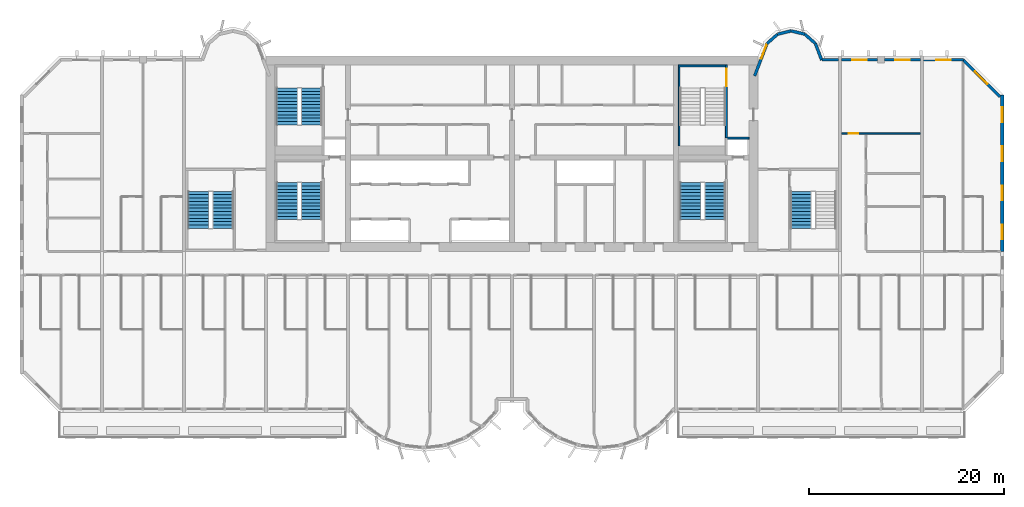
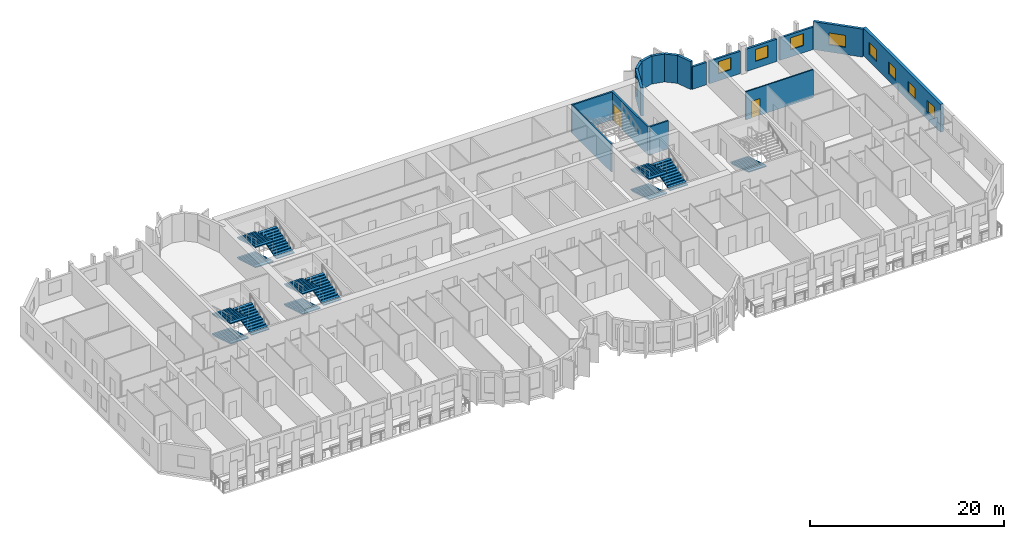
# One storey, part 11 of 15: 17 walls, 13 stair flights, 9 windows, 2 doors, 11 openings, 5 elements without a shape of their own.
"""IFC4 building model written with IfcOpenShell, lengths in metres."""

from ifc_helpers import new_model, si_unit, direction, frame, frame_2d, origin, place, context, subcontext, project, spatial, polyline, rectangle, outline, extrude, source, transform, mapped, material, layer, layer_set, type_object, element, fill, aggregate, save


model = new_model("IFC4")

# Units and contexts
model_context = context("Model", 3, precision=1e-05, world=origin(), true_north=direction((0.0, 1.0)))
body_context = subcontext(model_context, "Body", "Model", "MODEL_VIEW")
ifc_project = project(units=[si_unit("LENGTHUNIT", "METRE"), si_unit("AREAUNIT", "SQUARE_METRE"), si_unit("VOLUMEUNIT", "CUBIC_METRE"), si_unit("PLANEANGLEUNIT", "RADIAN"), si_unit("MASSUNIT", "GRAM", prefix="KILO")], contexts=[model_context])

# Site, building, storey
site_placement = place(None, origin())
site = spatial("IfcSite", under=ifc_project, at=site_placement, CompositionType="ELEMENT")
building_placement = place(site_placement, origin())
building = spatial("IfcBuilding", under=site, at=building_placement, Name="Vanashikhar Sky Hotel", CompositionType="ELEMENT")
storey_placement = place(building_placement, frame((0.0, 0.0, 110.39990234375)))
storey = spatial("IfcBuildingStorey", under=building, at=storey_placement, Name="L26", CompositionType="ELEMENT", Elevation=110.39990234375)

# Wall, openings, windows
ifc_material_1 = material(Name="Concrete M70", Category="concrete")
ifc_layer_1 = layer(ifc_material_1, 0.35009765625)
ifc_layer_set_1 = layer_set([ifc_layer_1], Name="RC shear wall 350 Concrete M70")
wall_type_1 = type_object("IfcWallType", Name="RC shear wall 350 Concrete M70", PredefinedType="SHEAR", material=ifc_layer_set_1)
shared_shape_1 = source(origin(), body_context, "Body", "SweptSolid", [
    extrude(rectangle(XDim=16.0, YDim=0.35009765625, at=frame_2d((8.0, 0.0))), origin(), (0.0, 0.0, 1.0), 3.52001953125),
])
wall_1_placement = place(storey_placement, frame((100.625, 22.0, 0.0), z_axis=(0.0, 0.0, 1.0), x_axis=(0.0, 1.0, 0.0)))
wall_1 = element("IfcWall", 1, at=wall_1_placement, inside=storey, type_object=wall_type_1, Name="CW-L26-XW13-2", PredefinedType="SHEAR", context=body_context, shape_type="MappedRepresentation", body=[
    mapped(shared_shape_1, transform((0.0, 0.0, 0.0), scale=1.0)),
])
shared_shape_2 = source(origin(), body_context, "Body", "SweptSolid", [
    extrude(rectangle(XDim=1.5, YDim=1.5, at=frame_2d((0.75, 0.75))), frame((0.0, 0.18505859375, 0.0), z_axis=(0.0, -1.0, 0.0), x_axis=(1.0, 0.0, 0.0)), (0.0, 0.0, 1.0), 0.3701171875),
])
opening_1_placement = place(wall_1_placement, frame((1.25, 0.0, 0.89990234375)))
opening_1 = element("IfcOpeningElement", 2, at=opening_1_placement, cuts=wall_1, Name="Opening WN-1", PredefinedType="OPENING", context=body_context, shape_type="MappedRepresentation", body=[
    mapped(shared_shape_2, transform((0.0, 0.0, 0.0), scale=1.0)),
])
opening_2_placement = place(wall_1_placement, frame((5.25, 0.0, 0.89990234375)))
opening_2 = element("IfcOpeningElement", 3, at=opening_2_placement, cuts=wall_1, Name="Opening WN-1", PredefinedType="OPENING", context=body_context, shape_type="MappedRepresentation", body=[
    mapped(shared_shape_2, transform((0.0, 0.0, 0.0), scale=1.0)),
])
opening_3_placement = place(wall_1_placement, frame((9.25, 0.0, 0.89990234375)))
opening_3 = element("IfcOpeningElement", 4, at=opening_3_placement, cuts=wall_1, Name="Opening WN-1", PredefinedType="OPENING", context=body_context, shape_type="MappedRepresentation", body=[
    mapped(shared_shape_2, transform((0.0, 0.0, 0.0), scale=1.0)),
])
opening_4_placement = place(wall_1_placement, frame((13.25, 0.0, 0.89990234375)))
opening_4 = element("IfcOpeningElement", 5, at=opening_4_placement, cuts=wall_1, Name="Opening WN-1", PredefinedType="OPENING", context=body_context, shape_type="MappedRepresentation", body=[
    mapped(shared_shape_2, transform((0.0, 0.0, 0.0), scale=1.0)),
])
ifc_material_2 = material(Name="Glass", Category="glass")
window_type_1 = type_object("IfcWindowType", Name="Window 1500 x 1500", PartitioningType="SINGLE_PANEL", PredefinedType="WINDOW", material=ifc_material_2)
shared_shape_3 = source(origin(), body_context, "Body", "SweptSolid", [
    extrude(rectangle(XDim=1.5, YDim=1.5, at=frame_2d((0.75, 0.75))), frame((0.0, 0.030029296875, 0.0), z_axis=(0.0, -1.0, 0.0), x_axis=(1.0, 0.0, 0.0)), (0.0, 0.0, 1.0), 0.06005859375),
])
window_1_placement = place(opening_1_placement, origin())
window_1 = element("IfcWindow", 6, at=window_1_placement, inside=storey, type_object=window_type_1, Name="Window WN-1", OverallHeight=1.5, OverallWidth=1.5, PartitioningType="SINGLE_PANEL", PredefinedType="WINDOW", context=body_context, shape_type="MappedRepresentation", body=[
    mapped(shared_shape_3, transform((0.0, 0.0, 0.0), scale=1.0)),
])
fill(opening_1, window_1)
window_2_placement = place(opening_2_placement, origin())
window_2 = element("IfcWindow", 7, at=window_2_placement, inside=storey, type_object=window_type_1, Name="Window WN-1", OverallHeight=1.5, OverallWidth=1.5, PartitioningType="SINGLE_PANEL", PredefinedType="WINDOW", context=body_context, shape_type="MappedRepresentation", body=[
    mapped(shared_shape_3, transform((0.0, 0.0, 0.0), scale=1.0)),
])
fill(opening_2, window_2)
window_3_placement = place(opening_3_placement, origin())
window_3 = element("IfcWindow", 8, at=window_3_placement, inside=storey, type_object=window_type_1, Name="Window WN-1", OverallHeight=1.5, OverallWidth=1.5, PartitioningType="SINGLE_PANEL", PredefinedType="WINDOW", context=body_context, shape_type="MappedRepresentation", body=[
    mapped(shared_shape_3, transform((0.0, 0.0, 0.0), scale=1.0)),
])
fill(opening_3, window_3)
window_4_placement = place(opening_4_placement, origin())
window_4 = element("IfcWindow", 9, at=window_4_placement, inside=storey, type_object=window_type_1, Name="Window WN-1", OverallHeight=1.5, OverallWidth=1.5, PartitioningType="SINGLE_PANEL", PredefinedType="WINDOW", context=body_context, shape_type="MappedRepresentation", body=[
    mapped(shared_shape_3, transform((0.0, 0.0, 0.0), scale=1.0)),
])
fill(opening_4, window_4)

# Wall, opening, window
ifc_material_3 = material(Name="Concrete M50", Category="concrete")
ifc_layer_2 = layer(ifc_material_3, 0.300048828125)
ifc_layer_set_2 = layer_set([ifc_layer_2], Name="Lobe wall 300")
wall_type_2 = type_object("IfcWallType", Name="Lobe wall 300", PredefinedType="SOLIDWALL", material=ifc_layer_set_2)
shared_shape_4 = source(origin(), body_context, "Body", "SweptSolid", [
    extrude(rectangle(XDim=5.32568359375, YDim=0.300048828125, at=frame_2d((2.662841796875, 0.0))), origin(), (0.0, 0.0, 1.0), 3.52001953125),
])
wall_2_placement = place(storey_placement, frame((100.39990234375, 37.834228515625, 0.0), z_axis=(0.0, 0.0, 1.0), x_axis=(-0.707083859269, 0.707129702361, 0.0)))
wall_2 = element("IfcWall", 10, at=wall_2_placement, inside=storey, type_object=wall_type_2, Name="Corner wall", PredefinedType="SOLIDWALL", context=body_context, shape_type="MappedRepresentation", body=[
    mapped(shared_shape_4, transform((0.0, 0.0, 0.0), scale=1.0)),
])
shared_shape_5 = source(origin(), body_context, "Body", "SweptSolid", [
    extrude(rectangle(XDim=1.800048828125, YDim=1.5, at=frame_2d((0.89990234375, 0.75))), frame((0.0, 0.16015625, 0.0), z_axis=(0.0, -1.0, 0.0), x_axis=(1.0, 0.0, 0.0)), (0.0, 0.0, 1.0), 0.320068359375),
])
opening_5_placement = place(wall_2_placement, frame((1.853759765625, 0.0, 0.89990234375)))
opening_5 = element("IfcOpeningElement", 11, at=opening_5_placement, cuts=wall_2, Name="Opening WN-4", PredefinedType="OPENING", context=body_context, shape_type="MappedRepresentation", body=[
    mapped(shared_shape_5, transform((0.0, 0.0, 0.0), scale=1.0)),
])
window_type_2 = type_object("IfcWindowType", Name="Corner window 1800 x 1500", PartitioningType="SINGLE_PANEL", PredefinedType="WINDOW", material=ifc_material_2)
shared_shape_6 = source(origin(), body_context, "Body", "SweptSolid", [
    extrude(rectangle(XDim=1.800048828125, YDim=1.5, at=frame_2d((0.89990234375, 0.75))), frame((0.0, 0.030029296875, 0.0), z_axis=(0.0, -1.0, 0.0), x_axis=(1.0, 0.0, 0.0)), (0.0, 0.0, 1.0), 0.06005859375),
])
window_5_placement = place(opening_5_placement, origin())
window_5 = element("IfcWindow", 12, at=window_5_placement, inside=storey, type_object=window_type_2, Name="Window WN-4", OverallHeight=1.5, OverallWidth=1.800048828125, PartitioningType="SINGLE_PANEL", PredefinedType="WINDOW", context=body_context, shape_type="MappedRepresentation", body=[
    mapped(shared_shape_6, transform((0.0, 0.0, 0.0), scale=1.0)),
])
fill(opening_5, window_5)

shared_shape_7 = source(origin(), body_context, "Body", "SweptSolid", [
    extrude(rectangle(XDim=3.55908203125, YDim=0.300048828125, at=frame_2d((1.779541015625, 0.0))), origin(), (0.0, 0.0, 1.0), 3.52001953125),
])
wall_3_placement = place(storey_placement, frame((76.5234375, 43.2919921875, 0.0), z_axis=(0.0, 0.0, 1.0), x_axis=(-0.35779745313, -0.933799219604, 0.0)))
wall_3 = element("IfcWall", 13, at=wall_3_placement, inside=storey, type_object=wall_type_2, Name="Lobe wall", PredefinedType="SOLIDWALL", context=body_context, shape_type="MappedRepresentation", body=[
    mapped(shared_shape_7, transform((0.0, 0.0, 0.0), scale=1.0)),
])
shared_shape_8 = source(origin(), body_context, "Body", "SweptSolid", [
    extrude(rectangle(XDim=1.5, YDim=2.0, at=frame_2d((0.75, 1.0))), frame((0.0, 0.16015625, 0.0), z_axis=(0.0, -1.0, 0.0), x_axis=(1.0, 0.0, 0.0)), (0.0, 0.0, 1.0), 0.320068359375),
])
opening_6_placement = place(wall_3_placement, frame((0.156005859375, 0.0, 0.89990234375)))
opening_6 = element("IfcOpeningElement", 14, at=opening_6_placement, cuts=wall_3, Name="Opening WN-2", PredefinedType="OPENING", context=body_context, shape_type="MappedRepresentation", body=[
    mapped(shared_shape_8, transform((0.0, 0.0, 0.0), scale=1.0)),
])
window_type_3 = type_object("IfcWindowType", Name="Lobe window 1500 x 2000", PartitioningType="SINGLE_PANEL", PredefinedType="WINDOW", material=ifc_material_2)
shared_shape_9 = source(origin(), body_context, "Body", "SweptSolid", [
    extrude(rectangle(XDim=1.5, YDim=2.0, at=frame_2d((0.75, 1.0))), frame((0.0, 0.030029296875, 0.0), z_axis=(0.0, -1.0, 0.0), x_axis=(1.0, 0.0, 0.0)), (0.0, 0.0, 1.0), 0.06005859375),
])
window_6_placement = place(opening_6_placement, origin())
window_6 = element("IfcWindow", 15, at=window_6_placement, inside=storey, type_object=window_type_3, Name="Window WN-2", OverallHeight=2.0, OverallWidth=1.5, PartitioningType="SINGLE_PANEL", PredefinedType="WINDOW", context=body_context, shape_type="MappedRepresentation", body=[
    mapped(shared_shape_9, transform((0.0, 0.0, 0.0), scale=1.0)),
])
fill(opening_6, window_6)

# Walls
shared_shape_10 = source(origin(), body_context, "Body", "SweptSolid", [
    extrude(rectangle(XDim=1.438720703125, YDim=0.300048828125, at=frame_2d((0.71923828125, 0.0))), origin(), (0.0, 0.0, 1.0), 3.52001953125),
])
for number, where, z_axis, x_axis, name in (
    (16, (80.397216796875, 44.2451171875, 0.0), (0.0, 0.0, 1.0), (-0.971161932466, 0.238420848351, 0.0), "Lobe wall"),
    (17, (79.0, 44.588134765625, 0.0), (0.0, 0.0, 1.0), (-0.971161932466, -0.238420848351, 0.0), "Lobe wall"),
):
    element("IfcWall", number, at=place(storey_placement, frame(where, z_axis=z_axis, x_axis=x_axis)), inside=storey, type_object=wall_type_2, Name=name, PredefinedType="SOLIDWALL", context=body_context, shape_type="MappedRepresentation", body=[
        mapped(shared_shape_10, transform((0.0, 0.0, 0.0), scale=1.0)),
    ])
shared_shape_11 = source(origin(), body_context, "Body", "SweptSolid", [
    extrude(rectangle(XDim=1.43994140625, YDim=0.300048828125, at=frame_2d((0.719970703125, 0.0))), origin(), (0.0, 0.0, 1.0), 3.52001953125),
])
for number, where, z_axis, x_axis, name in (
    (18, (81.4765625, 43.2919921875, 0.0), (0.0, 0.0, 1.0), (-0.74957555648, 0.661918790432, 0.0), "Lobe wall"),
    (19, (77.602783203125, 44.2451171875, 0.0), (0.0, 0.0, 1.0), (-0.74957555648, -0.661918790432, 0.0), "Lobe wall"),
):
    element("IfcWall", number, at=place(storey_placement, frame(where, z_axis=z_axis, x_axis=x_axis)), inside=storey, type_object=wall_type_2, Name=name, PredefinedType="SOLIDWALL", context=body_context, shape_type="MappedRepresentation", body=[
        mapped(shared_shape_11, transform((0.0, 0.0, 0.0), scale=1.0)),
    ])
shared_shape_12 = source(origin(), body_context, "Body", "SweptSolid", [
    extrude(rectangle(XDim=1.81201171875, YDim=0.300048828125, at=frame_2d((0.906005859375, 0.0))), origin(), (0.0, 0.0, 1.0), 3.52001953125),
])
wall_4_placement = place(storey_placement, frame((82.125, 41.60009765625, 0.0), z_axis=(0.0, 0.0, 1.0), x_axis=(-0.357877270961, 0.93376863244, 0.0)))
element("IfcWall", 20, at=wall_4_placement, inside=storey, type_object=wall_type_2, Name="Lobe wall", PredefinedType="SOLIDWALL", context=body_context, shape_type="MappedRepresentation", body=[
    mapped(shared_shape_12, transform((0.0, 0.0, 0.0), scale=1.0)),
])

# Wall, opening, window
ifc_layer_3 = layer(ifc_material_3, 0.25)
ifc_layer_set_3 = layer_set([ifc_layer_3], Name="Rear and end board-marked wall 250")
wall_type_3 = type_object("IfcWallType", Name="Rear and end board-marked wall 250", PredefinedType="SOLIDWALL", material=ifc_layer_set_3)
shared_shape_13 = source(origin(), body_context, "Body", "SweptSolid", [
    extrude(rectangle(XDim=4.06982421875, YDim=0.25, at=frame_2d((2.034912109375, 0.0))), origin(), (0.0, 0.0, 1.0), 2.820068359375),
])
wall_5_placement = place(storey_placement, frame((96.644775390625, 41.625, 0.0), z_axis=(0.0, 0.0, 1.0), x_axis=(-1.0, 0.0, 0.0)))
wall_5 = element("IfcWall", 21, at=wall_5_placement, inside=storey, type_object=wall_type_3, Name="Rear board-marked wall", PredefinedType="SOLIDWALL", context=body_context, shape_type="MappedRepresentation", body=[
    mapped(shared_shape_13, transform((0.0, 0.0, 0.0), scale=1.0)),
])
shared_shape_14 = source(origin(), body_context, "Body", "SweptSolid", [
    extrude(rectangle(XDim=1.5, YDim=1.5, at=frame_2d((0.75, 0.75))), frame((0.0, 0.135009765625, 0.0), z_axis=(0.0, -1.0, 0.0), x_axis=(1.0, 0.0, 0.0)), (0.0, 0.0, 1.0), 0.27001953125),
])
opening_7_placement = place(wall_5_placement, frame((1.284912109375, 0.0, 0.89990234375)))
opening_7 = element("IfcOpeningElement", 22, at=opening_7_placement, cuts=wall_5, Name="Opening WN-1", PredefinedType="OPENING", context=body_context, shape_type="MappedRepresentation", body=[
    mapped(shared_shape_14, transform((0.0, 0.0, 0.0), scale=1.0)),
])
window_7_placement = place(opening_7_placement, origin())
window_7 = element("IfcWindow", 23, at=window_7_placement, inside=storey, type_object=window_type_1, Name="Window WN-1", OverallHeight=1.5, OverallWidth=1.5, PartitioningType="SINGLE_PANEL", PredefinedType="WINDOW", context=body_context, shape_type="MappedRepresentation", body=[
    mapped(shared_shape_3, transform((0.0, 0.0, 0.0), scale=1.0)),
])
fill(opening_7, window_7)

shared_shape_15 = source(origin(), body_context, "Body", "SweptSolid", [
    extrude(rectangle(XDim=3.675048828125, YDim=0.25, at=frame_2d((1.83740234375, 0.0))), origin(), (0.0, 0.0, 1.0), 2.820068359375),
])
wall_6_placement = place(storey_placement, frame((87.85009765625, 41.625, 0.0), z_axis=(0.0, 0.0, 1.0), x_axis=(-1.0, 0.0, 0.0)))
wall_6 = element("IfcWall", 24, at=wall_6_placement, inside=storey, type_object=wall_type_3, Name="Rear board-marked wall", PredefinedType="SOLIDWALL", context=body_context, shape_type="MappedRepresentation", body=[
    mapped(shared_shape_15, transform((0.0, 0.0, 0.0), scale=1.0)),
])
opening_8_placement = place(wall_6_placement, frame((1.08740234375, 0.0, 0.89990234375)))
opening_8 = element("IfcOpeningElement", 25, at=opening_8_placement, cuts=wall_6, Name="Opening WN-1", PredefinedType="OPENING", context=body_context, shape_type="MappedRepresentation", body=[
    mapped(shared_shape_14, transform((0.0, 0.0, 0.0), scale=1.0)),
])
window_8_placement = place(opening_8_placement, origin())
window_8 = element("IfcWindow", 26, at=window_8_placement, inside=storey, type_object=window_type_1, Name="Window WN-1", OverallHeight=1.5, OverallWidth=1.5, PartitioningType="SINGLE_PANEL", PredefinedType="WINDOW", context=body_context, shape_type="MappedRepresentation", body=[
    mapped(shared_shape_3, transform((0.0, 0.0, 0.0), scale=1.0)),
])
fill(opening_8, window_8)

wall_7_placement = place(storey_placement, frame((92.22509765625, 41.625, 0.0), z_axis=(0.0, 0.0, 1.0), x_axis=(-1.0, 0.0, 0.0)))
wall_7 = element("IfcWall", 27, at=wall_7_placement, inside=storey, type_object=wall_type_3, Name="Rear board-marked wall", PredefinedType="SOLIDWALL", context=body_context, shape_type="MappedRepresentation", body=[
    mapped(shared_shape_15, transform((0.0, 0.0, 0.0), scale=1.0)),
])
opening_9_placement = place(wall_7_placement, frame((1.08740234375, 0.0, 0.89990234375)))
opening_9 = element("IfcOpeningElement", 28, at=opening_9_placement, cuts=wall_7, Name="Opening WN-1", PredefinedType="OPENING", context=body_context, shape_type="MappedRepresentation", body=[
    mapped(shared_shape_14, transform((0.0, 0.0, 0.0), scale=1.0)),
])
window_9_placement = place(opening_9_placement, origin())
window_9 = element("IfcWindow", 29, at=window_9_placement, inside=storey, type_object=window_type_1, Name="Window WN-1", OverallHeight=1.5, OverallWidth=1.5, PartitioningType="SINGLE_PANEL", PredefinedType="WINDOW", context=body_context, shape_type="MappedRepresentation", body=[
    mapped(shared_shape_3, transform((0.0, 0.0, 0.0), scale=1.0)),
])
fill(opening_9, window_9)

# Wall
shared_shape_16 = source(origin(), body_context, "Body", "SweptSolid", [
    extrude(rectangle(XDim=1.682861328125, YDim=0.25, at=frame_2d((0.84130859375, 0.0))), origin(), (0.0, 0.0, 1.0), 2.820068359375),
])
wall_8_placement = place(storey_placement, frame((83.824951171875, 41.625, 0.0), z_axis=(0.0, 0.0, 1.0), x_axis=(-1.0, 0.0, 0.0)))
element("IfcWall", 30, at=wall_8_placement, inside=storey, type_object=wall_type_3, Name="Rear board-marked wall", PredefinedType="SOLIDWALL", context=body_context, shape_type="MappedRepresentation", body=[
    mapped(shared_shape_16, transform((0.0, 0.0, 0.0), scale=1.0)),
])

# Wall, opening, door
ifc_layer_4 = layer(ifc_material_3, 0.199951171875)
ifc_layer_set_4 = layer_set([ifc_layer_4], Name="Stair wall 200")
wall_type_4 = type_object("IfcWallType", Name="Stair wall 200", PredefinedType="SOLIDWALL", material=ifc_layer_set_4)
shared_shape_17 = source(origin(), body_context, "Body", "SweptSolid", [
    extrude(rectangle(XDim=7.5, YDim=0.199951171875, at=frame_2d((3.75, 0.0))), origin(), (0.0, 0.0, 1.0), 3.52001953125),
])
wall_9_placement = place(storey_placement, frame((72.35009765625, 33.60009765625, 0.0), z_axis=(0.0, 0.0, 1.0), x_axis=(0.0, 1.0, 0.0)))
wall_9 = element("IfcWall", 31, at=wall_9_placement, inside=storey, type_object=wall_type_4, Name="Stair wall 200", PredefinedType="SOLIDWALL", context=body_context, shape_type="MappedRepresentation", body=[
    mapped(shared_shape_17, transform((0.0, 0.0, 0.0), scale=1.0)),
])
shared_shape_18 = source(origin(), body_context, "Body", "SweptSolid", [
    extrude(rectangle(XDim=1.800048828125, YDim=2.10009765625, at=frame_2d((0.89990234375, 1.050048828125))), frame((0.0, 0.10986328125, 0.0), z_axis=(0.0, -1.0, 0.0), x_axis=(1.0, 0.0, 0.0)), (0.0, 0.0, 1.0), 0.219970703125),
])
opening_10_placement = place(wall_9_placement, frame((5.300048828125, 0.0, 0.0)))
opening_10 = element("IfcOpeningElement", 32, at=opening_10_placement, cuts=wall_9, Name="Opening DC-1-A", PredefinedType="OPENING", context=body_context, shape_type="MappedRepresentation", body=[
    mapped(shared_shape_18, transform((0.0, 0.0, 0.0), scale=1.0)),
])
ifc_material_4 = material(Name="Steel", Category="steel")
door_type_1 = type_object("IfcDoorType", Name="Stair door 1800 FD120", OperationType="NOTDEFINED", PredefinedType="DOOR", material=ifc_material_4)
shared_shape_19 = source(origin(), body_context, "Body", "SweptSolid", [
    extrude(rectangle(XDim=1.800048828125, YDim=2.10009765625, at=frame_2d((0.89990234375, 1.050048828125))), frame((0.0, 0.02490234375, 0.0), z_axis=(0.0, -1.0, 0.0), x_axis=(1.0, 0.0, 0.0)), (0.0, 0.0, 1.0), 0.050048828125),
])
door_1_placement = place(opening_10_placement, origin())
door_1 = element("IfcDoor", 33, at=door_1_placement, inside=storey, type_object=door_type_1, Name="Stair door 1800 FD120", OperationType="SINGLE_SWING_LEFT", OverallHeight=2.10009765625, OverallWidth=1.800048828125, PredefinedType="DOOR", context=body_context, shape_type="MappedRepresentation", body=[
    mapped(shared_shape_19, transform((0.0, 0.0, 0.0), scale=1.0)),
])
fill(opening_10, door_1)

# Walls
ifc_material_5 = material(Name="Concrete M40", Category="concrete")
ifc_layer_5 = layer(ifc_material_5, 0.199951171875)
ifc_layer_set_5 = layer_set([ifc_layer_5], Name="Shaft wall 200")
wall_type_5 = type_object("IfcWallType", Name="Shaft wall 200", PredefinedType="SOLIDWALL", material=ifc_layer_set_5)
shared_shape_20 = source(origin(), body_context, "Body", "SweptSolid", [
    extrude(rectangle(XDim=2.25, YDim=0.199951171875, at=frame_2d((1.125, 0.0))), origin(), (0.0, 0.0, 1.0), 3.52001953125),
])
wall_10_placement = place(storey_placement, frame((72.449951171875, 33.60009765625, 0.0), z_axis=(0.0, 0.0, 1.0), x_axis=(1.0, 0.0, 0.0)))
element("IfcWall", 34, at=wall_10_placement, inside=storey, type_object=wall_type_5, Name="Shaft wall 200", PredefinedType="SOLIDWALL", context=body_context, shape_type="MappedRepresentation", body=[
    mapped(shared_shape_20, transform((0.0, 0.0, 0.0), scale=1.0)),
])
ifc_layer_6 = layer(ifc_material_3, 0.199951171875)
ifc_layer_set_6 = layer_set([ifc_layer_6], Name="Stair infill wall 200")
wall_type_6 = type_object("IfcWallType", Name="Stair infill wall 200", PredefinedType="SOLIDWALL", material=ifc_layer_set_6)
shared_shape_21 = source(origin(), body_context, "Body", "SweptSolid", [
    extrude(rectangle(XDim=4.800048828125, YDim=0.199951171875, at=frame_2d((2.39990234375, 0.0))), origin(), (0.0, 0.0, 1.0), 3.52001953125),
])
wall_11_placement = place(storey_placement, frame((67.449951171875, 41.0, 0.0), z_axis=(0.0, 0.0, 1.0), x_axis=(1.0, 0.0, 0.0)))
element("IfcWall", 35, at=wall_11_placement, inside=storey, type_object=wall_type_6, Name="Stair infill wall 200", PredefinedType="SOLIDWALL", context=body_context, shape_type="MappedRepresentation", body=[
    mapped(shared_shape_21, transform((0.0, 0.0, 0.0), scale=1.0)),
])
ifc_layer_7 = layer(ifc_material_3, 0.14990234375)
ifc_layer_set_7 = layer_set([ifc_layer_7], Name="Stair infill wall 150")
wall_type_7 = type_object("IfcWallType", Name="Stair infill wall 150", PredefinedType="SOLIDWALL", material=ifc_layer_set_7)
shared_shape_22 = source(origin(), body_context, "Body", "SweptSolid", [
    extrude(rectangle(XDim=8.099853515625, YDim=0.14990234375, at=frame_2d((4.0498046875, 0.0))), origin(), (0.0, 0.0, 1.0), 3.52001953125),
])
wall_12_placement = place(storey_placement, frame((67.52490234375, 32.800048828125, 0.0), z_axis=(0.0, 0.0, 1.0), x_axis=(0.0, 1.0, 0.0)))
element("IfcWall", 36, at=wall_12_placement, inside=storey, type_object=wall_type_7, Name="Stair infill wall 150", PredefinedType="SOLIDWALL", context=body_context, shape_type="MappedRepresentation", body=[
    mapped(shared_shape_22, transform((0.0, 0.0, 0.0), scale=1.0)),
])

# Wall, opening, door
ifc_material_6 = material(Name="Gypsum plasterboard partition")
ifc_layer_8 = layer(ifc_material_6, 0.14990234375)
ifc_layer_set_8 = layer_set([ifc_layer_8], Name="Corridor and demising partition 150")
wall_type_8 = type_object("IfcWallType", Name="Corridor and demising partition 150", PredefinedType="PARTITIONING", material=ifc_layer_set_8)
shared_shape_23 = source(origin(), body_context, "Body", "SweptSolid", [
    extrude(rectangle(XDim=8.050048828125, YDim=0.14990234375, at=frame_2d((4.02490234375, 0.0))), origin(), (0.0, 0.0, 1.0), 3.52001953125),
])
wall_13_placement = place(storey_placement, frame((84.175048828125, 34.074951171875, 0.0), z_axis=(0.0, 0.0, 1.0), x_axis=(1.0, 0.0, 0.0)))
wall_13 = element("IfcWall", 37, at=wall_13_placement, inside=storey, type_object=wall_type_8, Name="W-L26-PW101", PredefinedType="PARTITIONING", context=body_context, shape_type="MappedRepresentation", body=[
    mapped(shared_shape_23, transform((0.0, 0.0, 0.0), scale=1.0)),
])
shared_shape_24 = source(origin(), body_context, "Body", "SweptSolid", [
    extrude(rectangle(XDim=1.0, YDim=2.10009765625, at=frame_2d((0.5, 1.050048828125))), frame((0.0, 0.0849609375, 0.0), z_axis=(0.0, -1.0, 0.0), x_axis=(1.0, 0.0, 0.0)), (0.0, 0.0, 1.0), 0.169921875),
])
opening_11_placement = place(wall_13_placement, frame((0.699951171875, 0.0, 0.0)))
opening_11 = element("IfcOpeningElement", 38, at=opening_11_placement, cuts=wall_13, Name="Opening D-01", PredefinedType="OPENING", context=body_context, shape_type="MappedRepresentation", body=[
    mapped(shared_shape_24, transform((0.0, 0.0, 0.0), scale=1.0)),
])
ifc_material_7 = material(Name="Timber fire door", Category="wood")
door_type_2 = type_object("IfcDoorType", Name="Guest entry door 1000 FD30S", OperationType="NOTDEFINED", PredefinedType="DOOR", material=ifc_material_7)
shared_shape_25 = source(origin(), body_context, "Body", "SweptSolid", [
    extrude(rectangle(XDim=1.0, YDim=2.10009765625, at=frame_2d((0.5, 1.050048828125))), frame((0.0, 0.02490234375, 0.0), z_axis=(0.0, -1.0, 0.0), x_axis=(1.0, 0.0, 0.0)), (0.0, 0.0, 1.0), 0.050048828125),
])
door_2_placement = place(opening_11_placement, origin())
door_2 = element("IfcDoor", 39, at=door_2_placement, inside=storey, type_object=door_type_2, Name="D-L26-057", OperationType="SINGLE_SWING_LEFT", OverallHeight=2.10009765625, OverallWidth=1.0, PredefinedType="DOOR", context=body_context, shape_type="MappedRepresentation", body=[
    mapped(shared_shape_25, transform((0.0, 0.0, 0.0), scale=1.0)),
])
fill(opening_11, door_2)

# Stair, stair flights
stair_type = type_object("IfcStairType", Name="Exit stair 2150", PredefinedType="DOUBLE_RETURN_STAIR", material=ifc_material_5)
stair_1_placement = place(storey_placement, origin())
stair_1 = element("IfcStair", 40, at=stair_1_placement, inside=storey, type_object=stair_type, Name="L26 Exit stair 1", PredefinedType="DOUBLE_RETURN_STAIR")
stair_flight_type = type_object("IfcStairFlightType", Name="Stair flight 2150", PredefinedType="STRAIGHT", material=ifc_material_5)
shared_shape_26 = source(origin(), body_context, "Body", "SweptSolid", [
    extrude(outline(polyline([(0.0, 0.0), (0.0, 0.10546875), (0.345458984375, 0.10546875), (0.345458984375, 0.211181640625), (0.69091796875, 0.211181640625), (0.69091796875, 0.316650390625), (1.036376953125, 0.316650390625), (1.036376953125, 0.422119140625), (1.3818359375, 0.422119140625), (1.3818359375, 0.52783203125), (1.727294921875, 0.52783203125), (1.727294921875, 0.63330078125), (2.07275390625, 0.63330078125), (2.07275390625, 0.73876953125), (2.418212890625, 0.73876953125), (2.418212890625, 0.844482421875), (2.763671875, 0.844482421875), (2.763671875, 0.949951171875), (3.109130859375, 0.949951171875), (3.109130859375, 1.0556640625), (3.45458984375, 1.0556640625), (3.45458984375, 1.1611328125), (3.800048828125, 1.1611328125), (3.800048828125, 1.2666015625), (3.800048828125, 1.035400390625), (0.4111328125, 0.0), (0.0, 0.0)])), frame((0.0, 1.074951171875, 0.0), z_axis=(0.0, -1.0, 0.0), x_axis=(1.0, 0.0, 0.0)), (0.0, 0.0, 1.0), 2.14990234375),
])
stair_flight_1_placement = place(storey_placement, frame((27.375, 29.050048828125, 0.0), z_axis=(0.0, 0.0, 1.0), x_axis=(0.0, -1.0, 0.0)))
stair_flight_1 = element("IfcStairFlight", 41, at=stair_flight_1_placement, type_object=stair_flight_type, Name="ST-C1 flight 1", NumberOfRisers=12, NumberOfTreads=11, PredefinedType="STRAIGHT", RiserHeight=0.105555556, TreadLength=0.345454545, context=body_context, shape_type="MappedRepresentation", body=[
    mapped(shared_shape_26, transform((0.0, 0.0, 0.0), scale=1.0)),
])
stair_flight_2_placement = place(storey_placement, frame((29.875, 25.25, 1.266845703125), z_axis=(0.0, 0.0, 1.0), x_axis=(0.0, 1.0, 0.0)))
stair_flight_2 = element("IfcStairFlight", 42, at=stair_flight_2_placement, type_object=stair_flight_type, Name="ST-C1 flight 2", NumberOfRisers=12, NumberOfTreads=11, PredefinedType="STRAIGHT", RiserHeight=0.105555556, TreadLength=0.345454545, context=body_context, shape_type="MappedRepresentation", body=[
    mapped(shared_shape_26, transform((0.0, 0.0, 0.0), scale=1.0)),
])
stair_flight_3_placement = place(storey_placement, frame((27.375, 29.050048828125, 2.533447265625), z_axis=(0.0, 0.0, 1.0), x_axis=(0.0, -1.0, 0.0)))
stair_flight_3 = element("IfcStairFlight", 43, at=stair_flight_3_placement, type_object=stair_flight_type, Name="ST-C1 flight 3", NumberOfRisers=12, NumberOfTreads=11, PredefinedType="STRAIGHT", RiserHeight=0.105555556, TreadLength=0.345454545, context=body_context, shape_type="MappedRepresentation", body=[
    mapped(shared_shape_26, transform((0.0, 0.0, 0.0), scale=1.0)),
])
aggregate(stair_1, [stair_flight_1, stair_flight_2, stair_flight_3])

stair_2_placement = place(storey_placement, origin())
stair_2 = element("IfcStair", 44, at=stair_2_placement, inside=storey, type_object=stair_type, Name="L26 Exit stair 2", PredefinedType="DOUBLE_RETURN_STAIR")
stair_flight_4_placement = place(storey_placement, frame((68.675048828125, 29.050048828125, 0.0), z_axis=(0.0, 0.0, 1.0), x_axis=(0.0, -1.0, 0.0)))
stair_flight_4 = element("IfcStairFlight", 45, at=stair_flight_4_placement, type_object=stair_flight_type, Name="ST-C2 flight 1", NumberOfRisers=12, NumberOfTreads=11, PredefinedType="STRAIGHT", RiserHeight=0.105555556, TreadLength=0.345454545, context=body_context, shape_type="MappedRepresentation", body=[
    mapped(shared_shape_26, transform((0.0, 0.0, 0.0), scale=1.0)),
])
stair_flight_5_placement = place(storey_placement, frame((71.175048828125, 25.25, 1.266845703125), z_axis=(0.0, 0.0, 1.0), x_axis=(0.0, 1.0, 0.0)))
stair_flight_5 = element("IfcStairFlight", 46, at=stair_flight_5_placement, type_object=stair_flight_type, Name="ST-C2 flight 2", NumberOfRisers=12, NumberOfTreads=11, PredefinedType="STRAIGHT", RiserHeight=0.105555556, TreadLength=0.345454545, context=body_context, shape_type="MappedRepresentation", body=[
    mapped(shared_shape_26, transform((0.0, 0.0, 0.0), scale=1.0)),
])
stair_flight_6_placement = place(storey_placement, frame((68.675048828125, 29.050048828125, 2.533447265625), z_axis=(0.0, 0.0, 1.0), x_axis=(0.0, -1.0, 0.0)))
stair_flight_6 = element("IfcStairFlight", 47, at=stair_flight_6_placement, type_object=stair_flight_type, Name="ST-C2 flight 3", NumberOfRisers=12, NumberOfTreads=11, PredefinedType="STRAIGHT", RiserHeight=0.105555556, TreadLength=0.345454545, context=body_context, shape_type="MappedRepresentation", body=[
    mapped(shared_shape_26, transform((0.0, 0.0, 0.0), scale=1.0)),
])
aggregate(stair_2, [stair_flight_4, stair_flight_5, stair_flight_6])

stair_3_placement = place(storey_placement, origin())
stair_3 = element("IfcStair", 48, at=stair_3_placement, inside=storey, type_object=stair_type, Name="L26 Exit stair 3", PredefinedType="DOUBLE_RETURN_STAIR")
stair_flight_7_placement = place(storey_placement, frame((18.27490234375, 28.14990234375, 0.0), z_axis=(0.0, 0.0, 1.0), x_axis=(0.0, -1.0, 0.0)))
stair_flight_7 = element("IfcStairFlight", 49, at=stair_flight_7_placement, type_object=stair_flight_type, Name="ST-W flight 1", NumberOfRisers=12, NumberOfTreads=11, PredefinedType="STRAIGHT", RiserHeight=0.105555556, TreadLength=0.345454545, context=body_context, shape_type="MappedRepresentation", body=[
    mapped(shared_shape_26, transform((0.0, 0.0, 0.0), scale=1.0)),
])
stair_flight_8_placement = place(storey_placement, frame((20.77490234375, 24.35009765625, 1.266845703125), z_axis=(0.0, 0.0, 1.0), x_axis=(0.0, 1.0, 0.0)))
stair_flight_8 = element("IfcStairFlight", 50, at=stair_flight_8_placement, type_object=stair_flight_type, Name="ST-W flight 2", NumberOfRisers=12, NumberOfTreads=11, PredefinedType="STRAIGHT", RiserHeight=0.105555556, TreadLength=0.345454545, context=body_context, shape_type="MappedRepresentation", body=[
    mapped(shared_shape_26, transform((0.0, 0.0, 0.0), scale=1.0)),
])
stair_flight_9_placement = place(storey_placement, frame((18.27490234375, 28.14990234375, 2.533447265625), z_axis=(0.0, 0.0, 1.0), x_axis=(0.0, -1.0, 0.0)))
stair_flight_9 = element("IfcStairFlight", 51, at=stair_flight_9_placement, type_object=stair_flight_type, Name="ST-W flight 3", NumberOfRisers=12, NumberOfTreads=11, PredefinedType="STRAIGHT", RiserHeight=0.105555556, TreadLength=0.345454545, context=body_context, shape_type="MappedRepresentation", body=[
    mapped(shared_shape_26, transform((0.0, 0.0, 0.0), scale=1.0)),
])
aggregate(stair_3, [stair_flight_7, stair_flight_8, stair_flight_9])

# Stair, stair flight
stair_4_placement = place(storey_placement, origin())
stair_4 = element("IfcStair", 52, at=stair_4_placement, inside=storey, type_object=stair_type, Name="L26 Exit stair 4", PredefinedType="DOUBLE_RETURN_STAIR")
stair_flight_10_placement = place(storey_placement, frame((80.02490234375, 28.14990234375, 0.0), z_axis=(0.0, 0.0, 1.0), x_axis=(0.0, -1.0, 0.0)))
stair_flight_10 = element("IfcStairFlight", 53, at=stair_flight_10_placement, type_object=stair_flight_type, Name="ST-E flight 1", NumberOfRisers=12, NumberOfTreads=11, PredefinedType="STRAIGHT", RiserHeight=0.105555556, TreadLength=0.345454545, context=body_context, shape_type="MappedRepresentation", body=[
    mapped(shared_shape_26, transform((0.0, 0.0, 0.0), scale=1.0)),
])
aggregate(stair_4, [stair_flight_10])

# Stair, stair flights
stair_5_placement = place(storey_placement, origin())
stair_5 = element("IfcStair", 54, at=stair_5_placement, inside=storey, type_object=stair_type, Name="L26 Exit stair 5", PredefinedType="DOUBLE_RETURN_STAIR")
stair_flight_11_placement = place(storey_placement, frame((27.375, 38.75, 0.0), z_axis=(0.0, 0.0, 1.0), x_axis=(0.0, -1.0, 0.0)))
stair_flight_11 = element("IfcStairFlight", 55, at=stair_flight_11_placement, type_object=stair_flight_type, Name="ST-C3 flight 1", NumberOfRisers=12, NumberOfTreads=11, PredefinedType="STRAIGHT", RiserHeight=0.105555556, TreadLength=0.345454545, context=body_context, shape_type="MappedRepresentation", body=[
    mapped(shared_shape_26, transform((0.0, 0.0, 0.0), scale=1.0)),
])
stair_flight_12_placement = place(storey_placement, frame((29.875, 34.949951171875, 1.266845703125), z_axis=(0.0, 0.0, 1.0), x_axis=(0.0, 1.0, 0.0)))
stair_flight_12 = element("IfcStairFlight", 56, at=stair_flight_12_placement, type_object=stair_flight_type, Name="ST-C3 flight 2", NumberOfRisers=12, NumberOfTreads=11, PredefinedType="STRAIGHT", RiserHeight=0.105555556, TreadLength=0.345454545, context=body_context, shape_type="MappedRepresentation", body=[
    mapped(shared_shape_26, transform((0.0, 0.0, 0.0), scale=1.0)),
])
stair_flight_13_placement = place(storey_placement, frame((27.375, 38.75, 2.533447265625), z_axis=(0.0, 0.0, 1.0), x_axis=(0.0, -1.0, 0.0)))
stair_flight_13 = element("IfcStairFlight", 57, at=stair_flight_13_placement, type_object=stair_flight_type, Name="ST-C3 flight 3", NumberOfRisers=12, NumberOfTreads=11, PredefinedType="STRAIGHT", RiserHeight=0.105555556, TreadLength=0.345454545, context=body_context, shape_type="MappedRepresentation", body=[
    mapped(shared_shape_26, transform((0.0, 0.0, 0.0), scale=1.0)),
])
aggregate(stair_5, [stair_flight_11, stair_flight_12, stair_flight_13])

save(model, "model.ifc")
